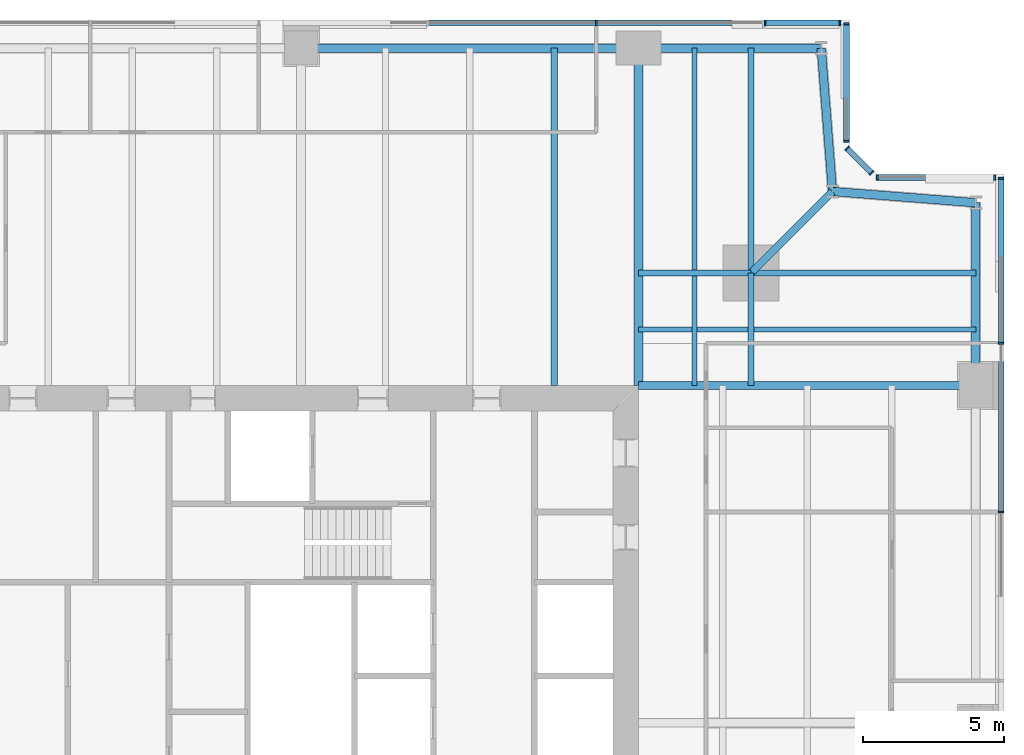
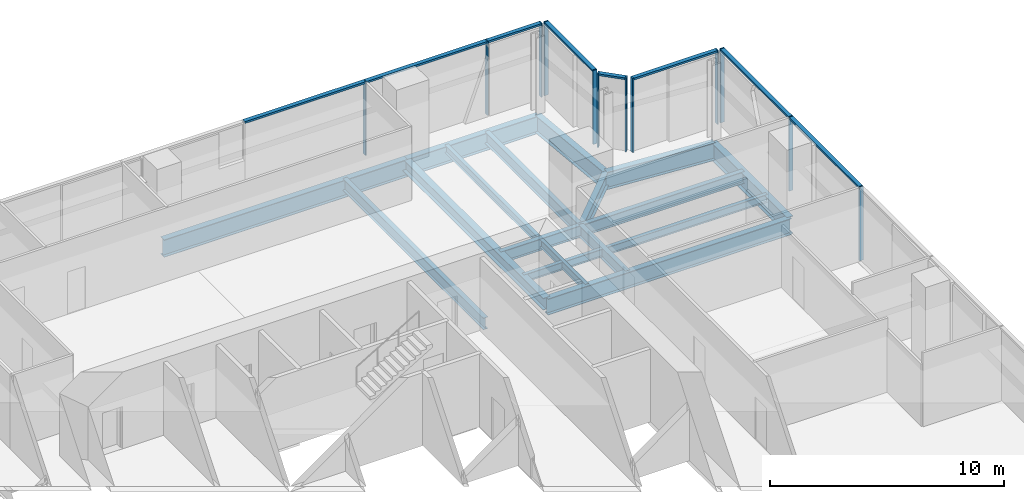
# One storey, part 7 of 16: 20 members, 18 beams, 5 elements without a shape of their own.
"""IFC4 building model written with IfcOpenShell, lengths in metres."""

from ifc_helpers import new_model, si_unit, direction, frame, origin, origin_2d, place, context, subcontext, project, spatial, rectangle, i_section, extrude, material, material_profile, profile_set, type_object, element, aggregate, save


model = new_model("IFC4")

# Units and contexts
model_context = context("Model", 3, precision=1e-05, world=origin(), true_north=direction((0.0, 1.0)))
body_context = subcontext(model_context, "Body", "Model", "MODEL_VIEW")
ifc_project = project(units=[si_unit("LENGTHUNIT", "METRE"), si_unit("AREAUNIT", "SQUARE_METRE"), si_unit("VOLUMEUNIT", "CUBIC_METRE"), si_unit("PLANEANGLEUNIT", "RADIAN"), si_unit("MASSUNIT", "GRAM", prefix="KILO")], contexts=[model_context])

# Site, building, storey
site_placement = place(None, origin())
site = spatial("IfcSite", under=ifc_project, at=site_placement, CompositionType="ELEMENT")
building_placement = place(site_placement, origin())
building = spatial("IfcBuilding", under=site, at=building_placement, Name="Fenwick Lantern Interchange", CompositionType="ELEMENT")
storey_placement = place(building_placement, frame((0.0, 0.0, 181.800048828125)))
storey = spatial("IfcBuildingStorey", under=building, at=storey_placement, Name="L42", CompositionType="ELEMENT", Elevation=181.800048828125)

# Beams
ifc_material_1 = material(Name="Steel ASTM A992 Grade 50", Category="steel")
ifc_material_profile_1 = material_profile(ifc_material_1, i_section(OverallWidth=0.3046875, OverallDepth=0.911865234375, WebThickness=0.015869140625, FlangeThickness=0.02392578125, at=origin_2d()), Name="W36X150")
ifc_profile_set_1 = profile_set([ifc_material_profile_1], Name="Steel ASTM A992 Grade 50")
beam_type_1 = type_object("IfcBeamType", Name="EDGE BEAM W36X150", PredefinedType="SPANDREL", material=ifc_profile_set_1)
beam_1_placement = place(storey_placement, frame((49.0, 37.0, -0.60595703125), z_axis=(0.0, 1.0, 0.0), x_axis=(-1.0, 0.0, 0.0)))
element("IfcBeam", 1, at=beam_1_placement, inside=storey, type_object=beam_type_1, Name="L42/FR/E/EB4", PredefinedType="SPANDREL", context=body_context, shape_type="SweptSolid", body=[
    extrude(i_section(OverallWidth=0.3046875, OverallDepth=0.911865234375, WebThickness=0.015869140625, FlangeThickness=0.02392578125, at=origin_2d()), origin(), (0.0, 0.0, 1.0), 6.5),
])
for number, where, z_axis, x_axis, name in (
    (2, (49.0, 43.5, -0.60595703125), (-0.99693998236, 0.078170784639, 0.0), (-0.078170784639, -0.99693998236, 0.0), "L42/FR/E/EBR1"),
    (3, (43.89990234375, 43.89990234375, -0.60595703125), (-0.078170784639, 0.99693998236, 0.0), (-0.99693998236, -0.078170784639, 0.0), "L42/FR/E/EBR2"),
):
    element("IfcBeam", number, at=place(storey_placement, frame(where, z_axis=z_axis, x_axis=x_axis)), inside=storey, type_object=beam_type_1, Name=name, PredefinedType="SPANDREL", context=body_context, shape_type="SweptSolid", body=[
        extrude(i_section(OverallWidth=0.3046875, OverallDepth=0.911865234375, WebThickness=0.015869140625, FlangeThickness=0.02392578125, at=origin_2d()), origin(), (0.0, 0.0, 1.0), 5.11572265625),
    ])
beam_2_placement = place(storey_placement, frame((43.5, 49.0, -0.60595703125), z_axis=(-1.0, 0.0, 0.0), x_axis=(0.0, -1.0, 0.0)))
element("IfcBeam", 4, at=beam_2_placement, inside=storey, type_object=beam_type_1, Name="L42/FR/N/EB1", PredefinedType="SPANDREL", context=body_context, shape_type="SweptSolid", body=[
    extrude(i_section(OverallWidth=0.3046875, OverallDepth=0.911865234375, WebThickness=0.015869140625, FlangeThickness=0.02392578125, at=origin_2d()), origin(), (0.0, 0.0, 1.0), 6.5),
])
beam_3_placement = place(storey_placement, frame((37.0, 49.0, -0.60595703125), z_axis=(-1.0, 0.0, 0.0), x_axis=(0.0, -1.0, 0.0)))
element("IfcBeam", 5, at=beam_3_placement, inside=storey, type_object=beam_type_1, Name="L42/FR/N/EB2", PredefinedType="SPANDREL", context=body_context, shape_type="SweptSolid", body=[
    extrude(i_section(OverallWidth=0.3046875, OverallDepth=0.911865234375, WebThickness=0.015869140625, FlangeThickness=0.02392578125, at=origin_2d()), origin(), (0.0, 0.0, 1.0), 12.0),
])
ifc_material_profile_2 = material_profile(ifc_material_1, i_section(OverallWidth=0.22900390625, OverallDepth=0.612060546875, WebThickness=0.011962890625, FlangeThickness=0.01953125, at=origin_2d()), Name="W24X84")
ifc_profile_set_2 = profile_set([ifc_material_profile_2], Name="Steel ASTM A992 Grade 50")
beam_type_2 = type_object("IfcBeamType", Name="FLOOR BEAM W24X84", PredefinedType="BEAM", material=ifc_profile_set_2)
beam_4_placement = place(storey_placement, frame((34.0, 49.0, -0.4560546875), z_axis=(0.0, -1.0, 0.0), x_axis=(1.0, 0.0, 0.0)))
element("IfcBeam", 6, at=beam_4_placement, inside=storey, type_object=beam_type_2, Name="L42/FR/N/R02", PredefinedType="BEAM", context=body_context, shape_type="SweptSolid", body=[
    extrude(i_section(OverallWidth=0.22900390625, OverallDepth=0.612060546875, WebThickness=0.011962890625, FlangeThickness=0.01953125, at=origin_2d()), origin(), (0.0, 0.0, 1.0), 12.0),
])
ifc_material_profile_3 = material_profile(ifc_material_1, i_section(OverallWidth=0.177734375, OverallDepth=0.406494140625, WebThickness=0.0078125, FlangeThickness=0.012939453125, at=origin_2d()), Name="W16X40")
ifc_profile_set_3 = profile_set([ifc_material_profile_3], Name="Steel ASTM A992 Grade 50")
beam_type_3 = type_object("IfcBeamType", Name="INFILL BEAM W16X40", PredefinedType="JOIST", material=ifc_profile_set_3)
beam_5_placement = place(storey_placement, frame((39.0, 49.0, -0.353271484375), z_axis=(0.0, -1.0, 0.0), x_axis=(1.0, 0.0, 0.0)))
element("IfcBeam", 7, at=beam_5_placement, inside=storey, type_object=beam_type_3, Name="L42/FR/N/J1", PredefinedType="JOIST", context=body_context, shape_type="SweptSolid", body=[
    extrude(i_section(OverallWidth=0.177734375, OverallDepth=0.406494140625, WebThickness=0.0078125, FlangeThickness=0.012939453125, at=origin_2d()), origin(), (0.0, 0.0, 1.0), 7.885498046875),
])
beam_6_placement = place(storey_placement, frame((39.0, 40.885498046875, -0.353271484375), z_axis=(0.0, -1.0, 0.0), x_axis=(1.0, 0.0, 0.0)))
element("IfcBeam", 8, at=beam_6_placement, inside=storey, type_object=beam_type_3, Name="L42/FR/N/J2", PredefinedType="JOIST", context=body_context, shape_type="SweptSolid", body=[
    extrude(i_section(OverallWidth=0.177734375, OverallDepth=0.406494140625, WebThickness=0.0078125, FlangeThickness=0.012939453125, at=origin_2d()), origin(), (0.0, 0.0, 1.0), 3.885498046875),
])
beam_7_placement = place(storey_placement, frame((49.0, 39.0, -0.353271484375), z_axis=(-1.0, 0.0, 0.0), x_axis=(0.0, -1.0, 0.0)))
element("IfcBeam", 9, at=beam_7_placement, inside=storey, type_object=beam_type_3, Name="L42/FR/N/J3", PredefinedType="JOIST", context=body_context, shape_type="SweptSolid", body=[
    extrude(i_section(OverallWidth=0.177734375, OverallDepth=0.406494140625, WebThickness=0.0078125, FlangeThickness=0.012939453125, at=origin_2d()), origin(), (0.0, 0.0, 1.0), 7.885498046875),
])
beam_8_placement = place(storey_placement, frame((40.885498046875, 39.0, -0.353271484375), z_axis=(-1.0, 0.0, 0.0), x_axis=(0.0, -1.0, 0.0)))
element("IfcBeam", 10, at=beam_8_placement, inside=storey, type_object=beam_type_3, Name="L42/FR/N/J4", PredefinedType="JOIST", context=body_context, shape_type="SweptSolid", body=[
    extrude(i_section(OverallWidth=0.177734375, OverallDepth=0.406494140625, WebThickness=0.0078125, FlangeThickness=0.012939453125, at=origin_2d()), origin(), (0.0, 0.0, 1.0), 1.796630859375),
])
beam_9_placement = place(storey_placement, frame((38.9111328125, 39.0, -0.353271484375), z_axis=(-1.0, 0.0, 0.0), x_axis=(0.0, -1.0, 0.0)))
element("IfcBeam", 11, at=beam_9_placement, inside=storey, type_object=beam_type_3, Name="L42/FR/N/J5", PredefinedType="JOIST", context=body_context, shape_type="SweptSolid", body=[
    extrude(i_section(OverallWidth=0.177734375, OverallDepth=0.406494140625, WebThickness=0.0078125, FlangeThickness=0.012939453125, at=origin_2d()), origin(), (0.0, 0.0, 1.0), 1.9111328125),
])
ifc_material_profile_4 = material_profile(ifc_material_1, i_section(OverallWidth=0.22900390625, OverallDepth=0.612060546875, WebThickness=0.011962890625, FlangeThickness=0.01953125, at=origin_2d()), Name="W24X84")
ifc_profile_set_4 = profile_set([ifc_material_profile_4], Name="Steel ASTM A992 Grade 50")
beam_type_4 = type_object("IfcBeamType", Name="MEGA COLUMN BEAM W24X84", PredefinedType="BEAM", material=ifc_profile_set_4)
for number, where, z_axis, x_axis, name in (
    (12, (41.0, 41.0, -0.4560546875), (0.0, 1.0, 0.0), (-1.0, 0.0, 0.0), "L42/FR/N/MB1"),
    (13, (41.0, 41.0, -0.4560546875), (1.0, 0.0, 0.0), (0.0, 1.0, 0.0), "L42/FR/N/MB2"),
):
    element("IfcBeam", number, at=place(storey_placement, frame(where, z_axis=z_axis, x_axis=x_axis)), inside=storey, type_object=beam_type_4, Name=name, PredefinedType="BEAM", context=body_context, shape_type="SweptSolid", body=[
        extrude(i_section(OverallWidth=0.22900390625, OverallDepth=0.612060546875, WebThickness=0.011962890625, FlangeThickness=0.01953125, at=origin_2d()), origin(), (0.0, 0.0, 1.0), 8.0),
    ])
for number, where, z_axis, x_axis, name in (
    (14, (41.0, 41.0, -0.4560546875), (-1.0, 0.0, 0.0), (0.0, -1.0, 0.0), "L42/FR/N/MB3"),
    (15, (41.0, 41.0, -0.4560546875), (0.0, -1.0, 0.0), (1.0, 0.0, 0.0), "L42/FR/N/MB4"),
):
    element("IfcBeam", number, at=place(storey_placement, frame(where, z_axis=z_axis, x_axis=x_axis)), inside=storey, type_object=beam_type_4, Name=name, PredefinedType="BEAM", context=body_context, shape_type="SweptSolid", body=[
        extrude(i_section(OverallWidth=0.22900390625, OverallDepth=0.612060546875, WebThickness=0.011962890625, FlangeThickness=0.01953125, at=origin_2d()), origin(), (0.0, 0.0, 1.0), 4.0),
    ])
ifc_material_profile_5 = material_profile(ifc_material_1, i_section(OverallWidth=0.32763671875, OverallDepth=0.622314453125, WebThickness=0.015380859375, FlangeThickness=0.0244140625, at=origin_2d()), Name="W24X131")
ifc_profile_set_5 = profile_set([ifc_material_profile_5], Name="Steel ASTM A992 Grade 50")
beam_type_5 = type_object("IfcBeamType", Name="MOMENT-CONNECTED GIRDER W24X131", PredefinedType="BEAM", material=ifc_profile_set_5)
beam_10_placement = place(storey_placement, frame((37.0, 49.0, -0.461181640625), z_axis=(0.0, -1.0, 0.0), x_axis=(1.0, 0.0, 0.0)))
element("IfcBeam", 16, at=beam_10_placement, inside=storey, type_object=beam_type_5, Name="L42/FR/N/R01", PredefinedType="BEAM", context=body_context, shape_type="SweptSolid", body=[
    extrude(i_section(OverallWidth=0.32763671875, OverallDepth=0.622314453125, WebThickness=0.015380859375, FlangeThickness=0.0244140625, at=origin_2d()), origin(), (0.0, 0.0, 1.0), 12.0),
])
ifc_material_profile_6 = material_profile(ifc_material_1, i_section(OverallWidth=0.2919921875, OverallDepth=0.845703125, WebThickness=0.015380859375, FlangeThickness=0.0244140625, at=origin_2d()), Name="W33X141")
ifc_profile_set_6 = profile_set([ifc_material_profile_6], Name="Steel ASTM A992 Grade 50")
beam_type_6 = type_object("IfcBeamType", Name="MOMENT-CONNECTED GIRDER W33X141", PredefinedType="BEAM", material=ifc_profile_set_6)
beam_11_placement = place(storey_placement, frame((49.0, 37.0, -0.572998046875), z_axis=(-1.0, 0.0, 0.0), x_axis=(0.0, -1.0, 0.0)))
element("IfcBeam", 17, at=beam_11_placement, inside=storey, type_object=beam_type_6, Name="L42/FR/E/R03", PredefinedType="BEAM", context=body_context, shape_type="SweptSolid", body=[
    extrude(i_section(OverallWidth=0.2919921875, OverallDepth=0.845703125, WebThickness=0.015380859375, FlangeThickness=0.0244140625, at=origin_2d()), origin(), (0.0, 0.0, 1.0), 12.0),
])
ifc_material_profile_7 = material_profile(ifc_material_1, i_section(OverallWidth=0.2666015625, OverallDepth=0.7568359375, WebThickness=0.013916015625, FlangeThickness=0.019287109375, at=origin_2d()), Name="W30X108")
ifc_profile_set_7 = profile_set([ifc_material_profile_7], Name="Steel ASTM A992 Grade 50")
beam_type_7 = type_object("IfcBeamType", Name="NOTCH BEAM W30X108", PredefinedType="BEAM", material=ifc_profile_set_7)
beam_12_placement = place(storey_placement, frame((41.0, 41.0, -0.528564453125), z_axis=(0.707106781187, 0.707106781187, 0.0), x_axis=(-0.707106781187, 0.707106781187, 0.0)))
element("IfcBeam", 18, at=beam_12_placement, inside=storey, type_object=beam_type_7, Name="L42/FR/N/TG", PredefinedType="BEAM", context=body_context, shape_type="SweptSolid", body=[
    extrude(i_section(OverallWidth=0.2666015625, OverallDepth=0.7568359375, WebThickness=0.013916015625, FlangeThickness=0.019287109375, at=origin_2d()), origin(), (0.0, 0.0, 1.0), 4.10107421875),
])

# Curtain wall, members
ifc_material_2 = material(Name="Aluminium curtain wall frame", Category="aluminium")
curtain_wall_type = type_object("IfcCurtainWallType", Name="OFFICE CURTAIN WALL", PredefinedType="USERDEFINED", material=ifc_material_2)
curtain_wall_1_placement = place(storey_placement, origin())
curtain_wall_1 = element("IfcCurtainWall", 19, at=curtain_wall_1_placement, inside=storey, type_object=curtain_wall_type, Name="Office curtain wall 05", ObjectType="OFFICE CURTAIN WALL", PredefinedType="USERDEFINED")
ifc_material_3 = material(Name="Aluminium extrusion", Category="aluminium")
ifc_material_profile_8 = material_profile(ifc_material_3, rectangle(XDim=0.199951171875, YDim=0.06494140625, at=origin_2d()), Name="OFFICE CURTAIN WALL MULLION 65 X 200")
ifc_profile_set_8 = profile_set([ifc_material_profile_8], Name="Aluminium extrusion")
member_type_1 = type_object("IfcMemberType", Name="OFFICE CURTAIN WALL MULLION 65 X 200", PredefinedType="MULLION", material=ifc_profile_set_8)
member_1_placement = place(storey_placement, frame((49.89990234375, 32.5, 0.0), z_axis=(0.0, 0.0, 1.0), x_axis=(-1.0, 0.0, 0.0)))
member_1 = element("IfcMember", 20, at=member_1_placement, type_object=member_type_1, Name="L42/CW/05/M05", PredefinedType="MULLION", context=body_context, shape_type="SweptSolid", body=[
    extrude(rectangle(XDim=0.199951171875, YDim=0.06494140625, at=origin_2d()), origin(), (0.0, 0.0, 1.0), 3.849853515625),
])
member_2_placement = place(storey_placement, frame((49.89990234375, 38.5, 0.0), z_axis=(0.0, 0.0, 1.0), x_axis=(-1.0, 0.0, 0.0)))
member_2 = element("IfcMember", 21, at=member_2_placement, type_object=member_type_1, Name="L42/CW/05/M06", PredefinedType="MULLION", context=body_context, shape_type="SweptSolid", body=[
    extrude(rectangle(XDim=0.199951171875, YDim=0.06494140625, at=origin_2d()), origin(), (0.0, 0.0, 1.0), 3.849853515625),
])
member_3_placement = place(storey_placement, frame((49.89990234375, 44.367431640625, 0.0), z_axis=(0.0, 0.0, 1.0), x_axis=(-1.0, 0.0, 0.0)))
member_3 = element("IfcMember", 22, at=member_3_placement, type_object=member_type_1, Name="L42/CW/05/M07", PredefinedType="MULLION", context=body_context, shape_type="SweptSolid", body=[
    extrude(rectangle(XDim=0.199951171875, YDim=0.06494140625, at=origin_2d()), origin(), (0.0, 0.0, 1.0), 3.849853515625),
])

curtain_wall_2_placement = place(storey_placement, origin())
curtain_wall_2 = element("IfcCurtainWall", 23, at=curtain_wall_2_placement, inside=storey, type_object=curtain_wall_type, Name="Office curtain wall 06", ObjectType="OFFICE CURTAIN WALL", PredefinedType="USERDEFINED")
member_4_placement = place(storey_placement, frame((49.66748046875, 44.39990234375, 0.0), z_axis=(0.0, 0.0, 1.0), x_axis=(0.0, -1.0, 0.0)))
member_4 = element("IfcMember", 24, at=member_4_placement, type_object=member_type_1, Name="L42/CW/06/M00", PredefinedType="MULLION", context=body_context, shape_type="SweptSolid", body=[
    extrude(rectangle(XDim=0.199951171875, YDim=0.06494140625, at=origin_2d()), origin(), (0.0, 0.0, 1.0), 3.849853515625),
])
member_5_placement = place(storey_placement, frame((45.490966796875, 44.39990234375, 0.0), z_axis=(0.0, 0.0, 1.0), x_axis=(0.0, -1.0, 0.0)))
member_5 = element("IfcMember", 25, at=member_5_placement, type_object=member_type_1, Name="L42/CW/06/M01", PredefinedType="MULLION", context=body_context, shape_type="SweptSolid", body=[
    extrude(rectangle(XDim=0.199951171875, YDim=0.06494140625, at=origin_2d()), origin(), (0.0, 0.0, 1.0), 3.849853515625),
])

curtain_wall_3_placement = place(storey_placement, origin())
curtain_wall_3 = element("IfcCurtainWall", 26, at=curtain_wall_3_placement, inside=storey, type_object=curtain_wall_type, Name="Office curtain wall 07", ObjectType="OFFICE CURTAIN WALL", PredefinedType="USERDEFINED")
member_6_placement = place(storey_placement, frame((45.294189453125, 44.564453125, 0.0), z_axis=(0.0, 0.0, 1.0), x_axis=(-0.707106781187, -0.707106781187, 0.0)))
member_6 = element("IfcMember", 27, at=member_6_placement, type_object=member_type_1, Name="L42/CW/07/M00", PredefinedType="MULLION", context=body_context, shape_type="SweptSolid", body=[
    extrude(rectangle(XDim=0.199951171875, YDim=0.06494140625, at=origin_2d()), origin(), (0.0, 0.0, 1.0), 3.849853515625),
])
member_7_placement = place(storey_placement, frame((44.423095703125, 45.435546875, 0.0), z_axis=(0.0, 0.0, 1.0), x_axis=(-0.707106781187, -0.707106781187, 0.0)))
member_7 = element("IfcMember", 28, at=member_7_placement, type_object=member_type_1, Name="L42/CW/07/M01", PredefinedType="MULLION", context=body_context, shape_type="SweptSolid", body=[
    extrude(rectangle(XDim=0.199951171875, YDim=0.06494140625, at=origin_2d()), origin(), (0.0, 0.0, 1.0), 3.849853515625),
])

curtain_wall_4_placement = place(storey_placement, origin())
curtain_wall_4 = element("IfcCurtainWall", 29, at=curtain_wall_4_placement, inside=storey, type_object=curtain_wall_type, Name="Office curtain wall 08", ObjectType="OFFICE CURTAIN WALL", PredefinedType="USERDEFINED")
member_8_placement = place(storey_placement, frame((44.39990234375, 45.691162109375, 0.0), z_axis=(0.0, 0.0, 1.0), x_axis=(-1.0, 0.0, 0.0)))
member_8 = element("IfcMember", 30, at=member_8_placement, type_object=member_type_1, Name="L42/CW/08/M00", PredefinedType="MULLION", context=body_context, shape_type="SweptSolid", body=[
    extrude(rectangle(XDim=0.199951171875, YDim=0.06494140625, at=origin_2d()), origin(), (0.0, 0.0, 1.0), 3.849853515625),
])
member_9_placement = place(storey_placement, frame((44.39990234375, 49.867431640625, 0.0), z_axis=(0.0, 0.0, 1.0), x_axis=(-1.0, 0.0, 0.0)))
member_9 = element("IfcMember", 31, at=member_9_placement, type_object=member_type_1, Name="L42/CW/08/M01", PredefinedType="MULLION", context=body_context, shape_type="SweptSolid", body=[
    extrude(rectangle(XDim=0.199951171875, YDim=0.06494140625, at=origin_2d()), origin(), (0.0, 0.0, 1.0), 3.849853515625),
])

curtain_wall_5_placement = place(storey_placement, origin())
curtain_wall_5 = element("IfcCurtainWall", 32, at=curtain_wall_5_placement, inside=storey, type_object=curtain_wall_type, Name="Office curtain wall 09", ObjectType="OFFICE CURTAIN WALL", PredefinedType="USERDEFINED")
member_10_placement = place(storey_placement, frame((44.16748046875, 49.89990234375, 0.0), z_axis=(0.0, 0.0, 1.0), x_axis=(0.0, -1.0, 0.0)))
member_10 = element("IfcMember", 33, at=member_10_placement, type_object=member_type_1, Name="L42/CW/09/M00", PredefinedType="MULLION", context=body_context, shape_type="SweptSolid", body=[
    extrude(rectangle(XDim=0.199951171875, YDim=0.06494140625, at=origin_2d()), origin(), (0.0, 0.0, 1.0), 3.849853515625),
])
member_11_placement = place(storey_placement, frame((41.5, 49.89990234375, 0.0), z_axis=(0.0, 0.0, 1.0), x_axis=(0.0, -1.0, 0.0)))
member_11 = element("IfcMember", 34, at=member_11_placement, type_object=member_type_1, Name="L42/CW/09/M01", PredefinedType="MULLION", context=body_context, shape_type="SweptSolid", body=[
    extrude(rectangle(XDim=0.199951171875, YDim=0.06494140625, at=origin_2d()), origin(), (0.0, 0.0, 1.0), 3.849853515625),
])
member_12_placement = place(storey_placement, frame((35.5, 49.89990234375, 0.0), z_axis=(0.0, 0.0, 1.0), x_axis=(0.0, -1.0, 0.0)))
member_12 = element("IfcMember", 35, at=member_12_placement, type_object=member_type_1, Name="L42/CW/09/M02", PredefinedType="MULLION", context=body_context, shape_type="SweptSolid", body=[
    extrude(rectangle(XDim=0.199951171875, YDim=0.06494140625, at=origin_2d()), origin(), (0.0, 0.0, 1.0), 3.849853515625),
])

# Member
ifc_material_profile_9 = material_profile(ifc_material_3, rectangle(XDim=0.199951171875, YDim=0.10009765625, at=origin_2d()), Name="OFFICE CURTAIN WALL TRANSOM 100 X 200")
ifc_profile_set_9 = profile_set([ifc_material_profile_9], Name="Aluminium extrusion")
member_type_2 = type_object("IfcMemberType", Name="OFFICE CURTAIN WALL TRANSOM 100 X 200", PredefinedType="MULLION", material=ifc_profile_set_9)
member_13_placement = place(storey_placement, frame((49.89990234375, 32.532470703125, 3.800048828125), z_axis=(0.0, 1.0, 0.0), x_axis=(-1.0, 0.0, 0.0)))
member_13 = element("IfcMember", 36, at=member_13_placement, type_object=member_type_2, Name="L42/CW/05/T05", PredefinedType="MULLION", context=body_context, shape_type="SweptSolid", body=[
    extrude(rectangle(XDim=0.199951171875, YDim=0.10009765625, at=origin_2d()), origin(), (0.0, 0.0, 1.0), 5.93505859375),
])

member_14_placement = place(storey_placement, frame((49.89990234375, 38.532470703125, 3.800048828125), z_axis=(0.0, 1.0, 0.0), x_axis=(-1.0, 0.0, 0.0)))
member_14 = element("IfcMember", 37, at=member_14_placement, type_object=member_type_2, Name="L42/CW/05/T06", PredefinedType="MULLION", context=body_context, shape_type="SweptSolid", body=[
    extrude(rectangle(XDim=0.199951171875, YDim=0.10009765625, at=origin_2d()), origin(), (0.0, 0.0, 1.0), 5.802490234375),
])

aggregate(curtain_wall_1, [member_1, member_2, member_3, member_13, member_14])

member_15_placement = place(storey_placement, frame((49.635009765625, 44.39990234375, 3.800048828125), z_axis=(-1.0, 0.0, 0.0), x_axis=(0.0, -1.0, 0.0)))
member_15 = element("IfcMember", 38, at=member_15_placement, type_object=member_type_2, Name="L42/CW/06/T00", PredefinedType="MULLION", context=body_context, shape_type="SweptSolid", body=[
    extrude(rectangle(XDim=0.199951171875, YDim=0.10009765625, at=origin_2d()), origin(), (0.0, 0.0, 1.0), 4.111328125),
])

aggregate(curtain_wall_2, [member_4, member_5, member_15])

member_16_placement = place(storey_placement, frame((45.271240234375, 44.58740234375, 3.800048828125), z_axis=(-0.707106781187, 0.707106781187, 0.0), x_axis=(-0.707106781187, -0.707106781187, 0.0)))
member_16 = element("IfcMember", 39, at=member_16_placement, type_object=member_type_2, Name="L42/CW/07/T00", PredefinedType="MULLION", context=body_context, shape_type="SweptSolid", body=[
    extrude(rectangle(XDim=0.199951171875, YDim=0.10009765625, at=origin_2d()), origin(), (0.0, 0.0, 1.0), 1.1669921875),
])

aggregate(curtain_wall_3, [member_6, member_7, member_16])

member_17_placement = place(storey_placement, frame((44.39990234375, 45.7236328125, 3.800048828125), z_axis=(0.0, 1.0, 0.0), x_axis=(-1.0, 0.0, 0.0)))
member_17 = element("IfcMember", 40, at=member_17_placement, type_object=member_type_2, Name="L42/CW/08/T00", PredefinedType="MULLION", context=body_context, shape_type="SweptSolid", body=[
    extrude(rectangle(XDim=0.199951171875, YDim=0.10009765625, at=origin_2d()), origin(), (0.0, 0.0, 1.0), 4.111328125),
])

aggregate(curtain_wall_4, [member_8, member_9, member_17])

member_18_placement = place(storey_placement, frame((44.135009765625, 49.89990234375, 3.800048828125), z_axis=(-1.0, 0.0, 0.0), x_axis=(0.0, -1.0, 0.0)))
member_18 = element("IfcMember", 41, at=member_18_placement, type_object=member_type_2, Name="L42/CW/09/T00", PredefinedType="MULLION", context=body_context, shape_type="SweptSolid", body=[
    extrude(rectangle(XDim=0.199951171875, YDim=0.10009765625, at=origin_2d()), origin(), (0.0, 0.0, 1.0), 2.6025390625),
])

member_19_placement = place(storey_placement, frame((41.467529296875, 49.89990234375, 3.800048828125), z_axis=(-1.0, 0.0, 0.0), x_axis=(0.0, -1.0, 0.0)))
member_19 = element("IfcMember", 42, at=member_19_placement, type_object=member_type_2, Name="L42/CW/09/T01", PredefinedType="MULLION", context=body_context, shape_type="SweptSolid", body=[
    extrude(rectangle(XDim=0.199951171875, YDim=0.10009765625, at=origin_2d()), origin(), (0.0, 0.0, 1.0), 5.93505859375),
])

member_20_placement = place(storey_placement, frame((35.467529296875, 49.89990234375, 3.800048828125), z_axis=(-1.0, 0.0, 0.0), x_axis=(0.0, -1.0, 0.0)))
member_20 = element("IfcMember", 43, at=member_20_placement, type_object=member_type_2, Name="L42/CW/09/T02", PredefinedType="MULLION", context=body_context, shape_type="SweptSolid", body=[
    extrude(rectangle(XDim=0.199951171875, YDim=0.10009765625, at=origin_2d()), origin(), (0.0, 0.0, 1.0), 5.93505859375),
])

aggregate(curtain_wall_5, [member_10, member_11, member_12, member_18, member_19, member_20])

save(model, "model.ifc")
